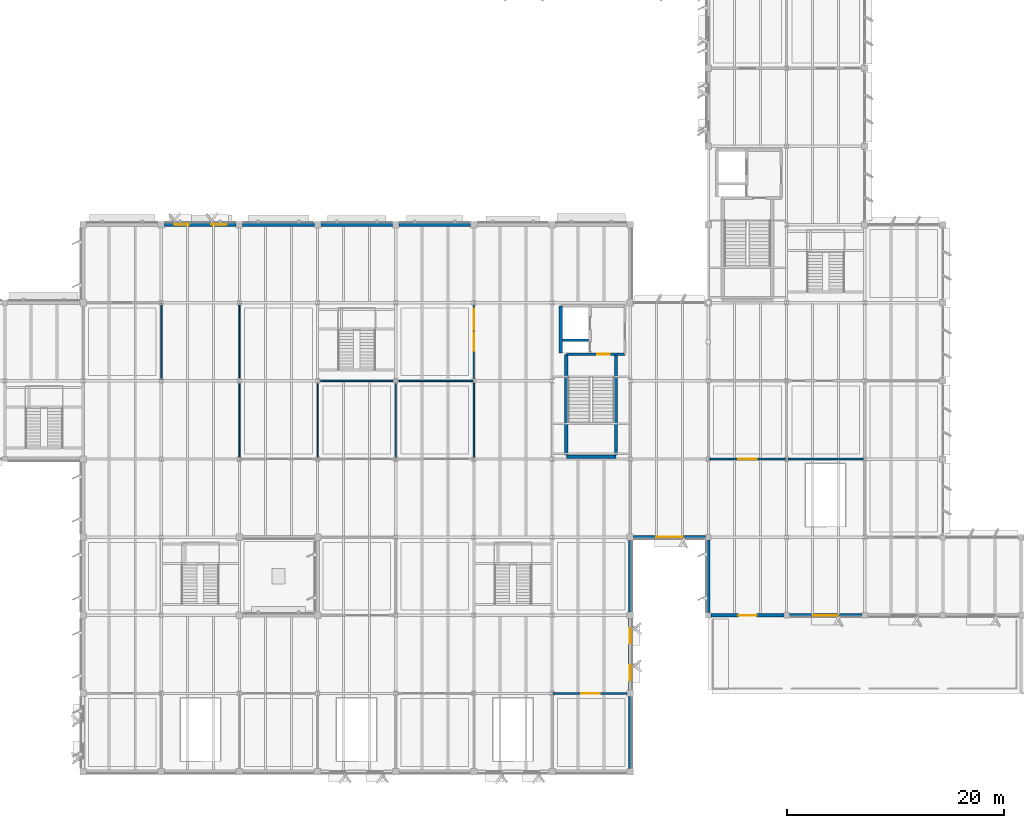
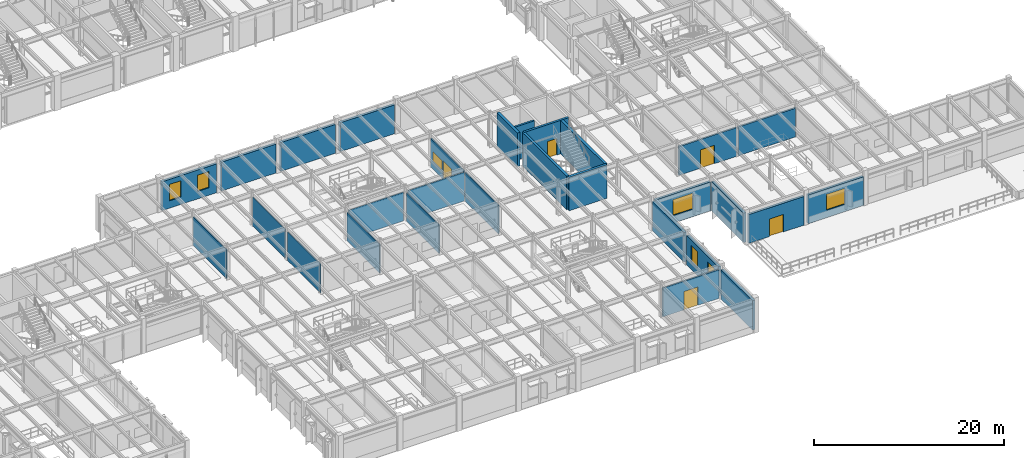
# One storey, part 36 of 92: 29 walls, 7 windows, 5 doors, 12 openings.
"""IFC4 building model written with IfcOpenShell, lengths in metres."""

import ifcopenshell
import ifcopenshell.guid

model = None  # the IFC model being written
_history = None  # IfcOwnerHistory: only IFC2X3 demands one
_inside = {}  # id of a spatial element -> (the spatial element, [elements in it])
_under = {}  # id of a project, library or spatial element -> (it, [spatial elements below it])
_declared = {}  # id of a project -> (the project, [libraries it declares])
_typed = {}  # id of a type object -> (the type object, [elements of that type])
_made_of = {}  # id of a material, layer set ... -> (it, [elements and type objects made of it])


def new_model(schema):
    """Start an empty IFC model of exactly this schema.

    Asked for "IFC4X3", IfcOpenShell would pick the latest addendum, in which some entities
    have other attributes; the version numbers below select the first issue.
    IFC2X3 requires an IfcOwnerHistory on every rooted entity: one is made here for all.
    """
    global model, _history
    if schema == "IFC4X3":
        model = ifcopenshell.file(schema_version=(4, 3, 0, 0))
    else:
        model = ifcopenshell.file(schema=schema)
    _inside.clear()
    _under.clear()
    _declared.clear()
    _typed.clear()
    _made_of.clear()
    _history = None
    if model.schema == "IFC2X3":
        org = make("IfcOrganization", Name="unknown")
        user = make(
            "IfcPersonAndOrganization",
            ThePerson=make("IfcPerson", FamilyName="unknown"),
            TheOrganization=org,
        )
        app = make(
            "IfcApplication",
            ApplicationDeveloper=org,
            Version="unknown",
            ApplicationFullName="unknown",
            ApplicationIdentifier="unknown",
        )
        _history = make(
            "IfcOwnerHistory",
            OwningUser=user,
            OwningApplication=app,
            ChangeAction="ADDED",
            CreationDate=0,
        )
    return model


def make(cls, **values):
    """One entity of the class cls with the attributes given. An attribute that is None is left unset."""
    return model.create_entity(
        cls, **{name: value for name, value in values.items() if value is not None}
    )


def rooted(cls, **values):
    """An entity with a GlobalId (a new one), such as an element, a storey or a relation."""
    return make(cls, GlobalId=ifcopenshell.guid.new(), OwnerHistory=_history, **values)


def si_unit(unit_type, name, prefix=None):
    """IfcSIUnit, for example si_unit("LENGTHUNIT", "METRE", prefix="MILLI")."""
    return make("IfcSIUnit", UnitType=unit_type, Prefix=prefix, Name=name)


def assignment(units):
    """IfcUnitAssignment: the units of a project."""
    return None if units is None else make("IfcUnitAssignment", Units=units)


def point(xyz):
    """IfcCartesianPoint."""
    return None if xyz is None else make("IfcCartesianPoint", Coordinates=xyz)


def direction(xyz):
    """IfcDirection."""
    return None if xyz is None else make("IfcDirection", DirectionRatios=xyz)


def frame(location, z_axis=None, x_axis=None):
    """IfcAxis2Placement3D, a coordinate frame: its origin and axes. An axis left out is left unset."""
    return make(
        "IfcAxis2Placement3D",
        Location=point(location),
        Axis=direction(z_axis),
        RefDirection=direction(x_axis),
    )


def frame_2d(location, x_axis=None):
    """IfcAxis2Placement2D, a coordinate frame in the plane: its origin and x axis."""
    return make(
        "IfcAxis2Placement2D", Location=point(location), RefDirection=direction(x_axis)
    )


def origin():
    """The frame at (0, 0, 0) with its axes left unset."""
    return frame((0.0, 0.0, 0.0))


def place(relative_to, where):
    """IfcLocalPlacement: puts the frame where relative to a parent placement (None: the world)."""
    return make(
        "IfcLocalPlacement", PlacementRelTo=relative_to, RelativePlacement=where
    )


def context(
    kind, dimensions, precision=None, world=None, true_north=None, identifier=None
):
    """IfcGeometricRepresentationContext, for example the 3D "Model" context."""
    return make(
        "IfcGeometricRepresentationContext",
        ContextIdentifier=identifier,
        ContextType=kind,
        CoordinateSpaceDimension=dimensions,
        Precision=precision,
        WorldCoordinateSystem=world,
        TrueNorth=true_north,
    )


def subcontext(parent, identifier, kind, view, scale=None):
    """IfcGeometricRepresentationSubContext, for example "Body" below "Model"."""
    return make(
        "IfcGeometricRepresentationSubContext",
        ContextIdentifier=identifier,
        ContextType=kind,
        ParentContext=parent,
        TargetScale=scale,
        TargetView=view,
    )


def project(units=None, contexts=None):
    """IfcProject with its units and contexts."""
    return rooted(
        "IfcProject",
        Name="project",
        RepresentationContexts=contexts,
        UnitsInContext=assignment(units),
    )


def spatial(cls, under=None, at=None, **own):
    """A site, building, storey or space (cls), placed at a placement, below another one or the project."""
    s = rooted(cls, ObjectPlacement=at, **own)
    if under is not None:
        _under.setdefault(under.id(), (under, []))[1].append(s)
    return s


def profile(cls, at=None, kind="AREA", **sizes):
    """A parametric profile (cls). Its sizes go by their IFC names, for example OverallWidth=200.0."""
    return make(cls, ProfileType=kind, Position=at, **sizes)


def rectangle(**sizes):
    """IfcRectangleProfileDef."""
    return profile("IfcRectangleProfileDef", **sizes)


def extrude(swept, where, along, depth):
    """IfcExtrudedAreaSolid: the profile swept, set in the frame where, extruded along a direction by depth."""
    return make(
        "IfcExtrudedAreaSolid",
        SweptArea=swept,
        Position=where,
        ExtrudedDirection=direction(along),
        Depth=depth,
    )


def shape(context_of_items, identifier, shape_type, items):
    """IfcShapeRepresentation: the items that make up one representation, for example the "Body"."""
    return make(
        "IfcShapeRepresentation",
        ContextOfItems=context_of_items,
        RepresentationIdentifier=identifier,
        RepresentationType=shape_type,
        Items=items,
    )


def material(Name=None, Category=None):
    """IfcMaterial."""
    return make("IfcMaterial", Name=Name, Category=Category)


def layer(
    of_material, thickness, ventilated=None, Name=None, Category=None, Priority=None
):
    """IfcMaterialLayer: one layer of a wall or slab, of a material (None: an air gap)."""
    return make(
        "IfcMaterialLayer",
        Material=of_material,
        LayerThickness=thickness,
        IsVentilated=ventilated,
        Name=Name,
        Category=Category,
        Priority=Priority,
    )


def layer_set(layers, Name=None):
    """IfcMaterialLayerSet."""
    return make("IfcMaterialLayerSet", MaterialLayers=layers, LayerSetName=Name)


def made_of(thing, what):
    """Note that an element or type object is made of a material, layer set ...; save() writes the relation."""
    if what is not None:
        _made_of.setdefault(what.id(), (what, []))[1].append(thing)
    return thing


def type_object(cls, material=None, **own):
    """A type object (cls), such as IfcWallType, which elements share."""
    return made_of(rooted(cls, **own), material)


def element(
    cls,
    number,
    at=None,
    inside=None,
    cuts=None,
    type_object=None,
    material=None,
    context=None,
    identifier="Body",
    shape_type=None,
    held_by="IfcProductDefinitionShape",
    body=None,
    shapes=None,
    **own,
):
    """One element of the class cls, such as IfcWall. Its Tag is "e" and its number.

    at: its placement. inside: the storey or other place that contains it. cuts: it is an
    opening in that element (IfcRelVoidsElement). A single representation is given by context,
    identifier, shape_type and body (its items); several are given by shapes. held_by: the class
    of the entity that holds the representations. save() writes the other relations.
    """
    e = rooted(cls, Tag="e%d" % number, ObjectPlacement=at, **own)
    if body is not None:
        shapes = [shape(context, identifier, shape_type, body)]
    if shapes is not None:
        e.Representation = make(held_by, Representations=shapes)
    if inside is not None:
        _inside.setdefault(inside.id(), (inside, []))[1].append(e)
    if cuts is not None:
        rooted(
            "IfcRelVoidsElement", RelatingBuildingElement=cuts, RelatedOpeningElement=e
        )
    if type_object is not None:
        _typed.setdefault(type_object.id(), (type_object, []))[1].append(e)
    return made_of(e, material)


def fill(opening, filler):
    """IfcRelFillsElement: the door or window that sits in an opening."""
    return rooted(
        "IfcRelFillsElement",
        RelatingOpeningElement=opening,
        RelatedBuildingElement=filler,
    )


def aggregate(whole, parts):
    """IfcRelAggregates: a whole, such as a stair, and the parts it consists of."""
    return rooted("IfcRelAggregates", RelatingObject=whole, RelatedObjects=parts)


def save(model, path):
    """Write the relations noted so far, then the file.

    IfcRelAggregates (storeys below a building ...), IfcRelContainedInSpatialStructure (elements
    in a storey), IfcRelDefinesByType, IfcRelAssociatesMaterial and IfcRelDeclares: one each for
    every whole, place, type object, material and project.
    """
    for whole, parts in _under.values():
        aggregate(whole, parts)
    for where, things in _inside.values():
        rooted(
            "IfcRelContainedInSpatialStructure",
            RelatedElements=things,
            RelatingStructure=where,
        )
    for kind, things in _typed.values():
        rooted("IfcRelDefinesByType", RelatedObjects=things, RelatingType=kind)
    for what, things in _made_of.values():
        rooted("IfcRelAssociatesMaterial", RelatedObjects=things, RelatingMaterial=what)
    for by, libraries in _declared.values():
        rooted("IfcRelDeclares", RelatingContext=by, RelatedDefinitions=libraries)
    model.write(path)


model = new_model("IFC4")

# Units and contexts
model_context = context("Model", 3, precision=1e-05, world=origin(), true_north=direction((0.0, 1.0)))
body_context = subcontext(model_context, "Body", "Model", "MODEL_VIEW")
ifc_project = project(units=[si_unit("LENGTHUNIT", "METRE"), si_unit("AREAUNIT", "SQUARE_METRE"), si_unit("VOLUMEUNIT", "CUBIC_METRE"), si_unit("PLANEANGLEUNIT", "RADIAN"), si_unit("MASSUNIT", "GRAM", prefix="KILO")], contexts=[model_context])

# Site, building, storey
site_placement = place(None, origin())
site = spatial("IfcSite", under=ifc_project, at=site_placement, CompositionType="ELEMENT")
building_placement = place(site_placement, origin())
building = spatial("IfcBuilding", under=site, at=building_placement, Name="Sillqori Civic Hall", CompositionType="ELEMENT")
storey_placement = place(building_placement, frame((0.0, 0.0, 5.39990234375)))
storey = spatial("IfcBuildingStorey", under=building, at=storey_placement, Name="L02", CompositionType="ELEMENT", Elevation=5.39990234375)

# Wall
ifc_material_1 = material(Name="Concrete C35/45 (H35)", Category="concrete")
ifc_layer_1 = layer(ifc_material_1, 0.219970703125)
ifc_layer_set_1 = layer_set([ifc_layer_1], Name="Concrete C35/45 (H35)")
wall_type_1 = type_object("IfcWallType", Name="CW-SHR-220", PredefinedType="SHEAR", material=ifc_layer_set_1)
wall_1_placement = place(storey_placement, frame((108.949951171875, 46.949951171875, 0.0), z_axis=(0.0, 0.0, 1.0), x_axis=(1.0, 0.0, 0.0)))
element("IfcWall", 1, at=wall_1_placement, inside=storey, type_object=wall_type_1, Name="L02 C3 Lift-riser divider wall", PredefinedType="SHEAR", context=body_context, shape_type="SweptSolid", body=[
    extrude(rectangle(XDim=2.400146484375, YDim=0.219970703125, at=frame_2d((1.2001953125, 0.0))), origin(), (0.0, 0.0, 1.0), 4.300048828125),
])

# Wall, opening, door
ifc_layer_2 = layer(ifc_material_1, 0.260009765625)
ifc_layer_set_2 = layer_set([ifc_layer_2], Name="Concrete C35/45 (H35)")
wall_type_2 = type_object("IfcWallType", Name="CW-SHR-260", PredefinedType="SHEAR", material=ifc_layer_set_2)
wall_2_placement = place(storey_placement, frame((109.31005859375, 45.64990234375, 0.0), z_axis=(0.0, 0.0, 1.0), x_axis=(1.0, 0.0, 0.0)))
wall_2 = element("IfcWall", 2, at=wall_2_placement, inside=storey, type_object=wall_type_2, Name="L02 C3 Stair-lobby fire wall", PredefinedType="SHEAR", context=body_context, shape_type="SweptSolid", body=[
    extrude(rectangle(XDim=5.409912109375, YDim=0.260009765625, at=frame_2d((2.705078125, 0.0))), origin(), (0.0, 0.0, 1.0), 4.300048828125),
])
opening_1_placement = place(wall_2_placement, frame((2.840087890625, 0.0, 0.0)))
opening_1 = element("IfcOpeningElement", 3, at=opening_1_placement, cuts=wall_2, Name="Opening FD-01", PredefinedType="OPENING", context=body_context, shape_type="SweptSolid", body=[
    extrude(rectangle(XDim=1.14990234375, YDim=2.14990234375, at=frame_2d((0.574951171875, 1.074951171875))), frame((0.0, 0.139892578125, 0.0), z_axis=(0.0, -1.0, 0.0), x_axis=(1.0, 0.0, 0.0)), (0.0, 0.0, 1.0), 0.280029296875),
])
ifc_material_2 = material(Name="Galvanized Steel Fire Door FD90S", Category="steel")
door_type_1 = type_object("IfcDoorType", Name="FDR-STR-115X215", OperationType="NOTDEFINED", PredefinedType="DOOR", material=ifc_material_2)
door_1_placement = place(opening_1_placement, origin())
door_1 = element("IfcDoor", 4, at=door_1_placement, inside=storey, type_object=door_type_1, Name="L02 stair ST-03 fire door", OperationType="SINGLE_SWING_RIGHT", OverallHeight=2.14990234375, OverallWidth=1.14990234375, PredefinedType="DOOR", context=body_context, shape_type="SweptSolid", body=[
    extrude(rectangle(XDim=1.14990234375, YDim=2.14990234375, at=frame_2d((0.574951171875, 1.074951171875))), frame((0.0, 0.02490234375, 0.0), z_axis=(0.0, -1.0, 0.0), x_axis=(1.0, 0.0, 0.0)), (0.0, 0.0, 1.0), 0.050048828125),
])
fill(opening_1, door_1)

# Walls
ifc_layer_3 = layer(ifc_material_1, 0.300048828125)
ifc_layer_set_3 = layer_set([ifc_layer_3], Name="Concrete C35/45 (H35)")
wall_type_3 = type_object("IfcWallType", Name="CW-SHR-300", PredefinedType="SHEAR", material=ifc_layer_set_3)
wall_3_placement = place(storey_placement, frame((109.31005859375, 36.199951171875, 0.0), z_axis=(0.0, 0.0, 1.0), x_axis=(1.0, 0.0, 0.0)))
element("IfcWall", 5, at=wall_3_placement, inside=storey, type_object=wall_type_3, Name="L02 C3 Stair south shear wall", PredefinedType="SHEAR", context=body_context, shape_type="SweptSolid", body=[
    extrude(rectangle(XDim=4.579833984375, YDim=0.300048828125, at=frame_2d((2.2900390625, 0.0))), origin(), (0.0, 0.0, 1.0), 4.300048828125),
])
for number, where, z_axis, x_axis, name in (
    (6, (109.31005859375, 36.35009765625, 0.0), (0.0, 0.0, 1.0), (0.0, 1.0, 0.0), "L02 C3 Stair west shear wall"),
    (7, (113.889892578125, 36.35009765625, 0.0), (0.0, 0.0, 1.0), (0.0, 1.0, 0.0), "L02 C3 Stair east shear wall"),
):
    element("IfcWall", number, at=place(storey_placement, frame(where, z_axis=z_axis, x_axis=x_axis)), inside=storey, type_object=wall_type_3, Name=name, PredefinedType="SHEAR", context=body_context, shape_type="SweptSolid", body=[
        extrude(rectangle(XDim=9.2998046875, YDim=0.300048828125, at=frame_2d((4.64990234375, 0.0))), origin(), (0.0, 0.0, 1.0), 4.300048828125),
    ])
wall_4_placement = place(storey_placement, frame((108.800048828125, 45.780029296875, 0.0), z_axis=(0.0, 0.0, 1.0), x_axis=(0.0, 1.0, 0.0)))
element("IfcWall", 8, at=wall_4_placement, inside=storey, type_object=wall_type_3, Name="L02 C3 Lift shaft west shear wall", PredefinedType="SHEAR", context=body_context, shape_type="SweptSolid", body=[
    extrude(rectangle(XDim=4.320068359375, YDim=0.300048828125, at=frame_2d((2.16015625, 0.0))), origin(), (0.0, 0.0, 1.0), 4.300048828125),
])

# Wall, opening, window
ifc_material_3 = material(Name="Precast concrete C40/50 (H40)", Category="concrete")
ifc_layer_4 = layer(ifc_material_3, 0.300048828125)
ifc_layer_set_4 = layer_set([ifc_layer_4], Name="Precast concrete C40/50 (H40)")
wall_type_4 = type_object("IfcWallType", Name="EW-LIME-300", PredefinedType="SOLIDWALL", material=ifc_layer_set_4)
wall_5_placement = place(storey_placement, frame((122.14990234375, 28.800048828125, 0.0), z_axis=(0.0, 0.0, 1.0), x_axis=(-1.0, 0.0, 0.0)))
wall_5 = element("IfcWall", 9, at=wall_5_placement, inside=storey, type_object=wall_type_4, Name="L02 V3 exterior wall L02-16-04-S", PredefinedType="SOLIDWALL", context=body_context, shape_type="SweptSolid", body=[
    extrude(rectangle(XDim=6.64990234375, YDim=0.300048828125, at=frame_2d((3.324951171875, 0.0))), origin(), (0.0, 0.0, 1.0), 3.697998046875),
])
opening_2_placement = place(wall_5_placement, frame((2.10009765625, 0.0, 0.949951171875)))
opening_2 = element("IfcOpeningElement", 10, at=opening_2_placement, cuts=wall_5, Name="Opening W-40", PredefinedType="OPENING", context=body_context, shape_type="SweptSolid", body=[
    extrude(rectangle(XDim=2.449951171875, YDim=2.050048828125, at=frame_2d((1.22509765625, 1.02490234375))), frame((0.0, 0.159912109375, 0.0), z_axis=(0.0, -1.0, 0.0), x_axis=(1.0, 0.0, 0.0)), (0.0, 0.0, 1.0), 0.320068359375),
])
ifc_material_4 = material(Name="Thermally Broken Aluminium Low-E Window", Category="aluminium")
window_type_1 = type_object("IfcWindowType", Name="WIN-GD-245X205", PartitioningType="SINGLE_PANEL", PredefinedType="WINDOW", material=ifc_material_4)
window_1_placement = place(opening_2_placement, origin())
window_1 = element("IfcWindow", 11, at=window_1_placement, inside=storey, type_object=window_type_1, Name="L02 V3 window L02-16-04-S.1", OverallHeight=2.050048828125, OverallWidth=2.449951171875, PartitioningType="SINGLE_PANEL", PredefinedType="WINDOW", context=body_context, shape_type="SweptSolid", body=[
    extrude(rectangle(XDim=2.449951171875, YDim=2.050048828125, at=frame_2d((1.22509765625, 1.02490234375))), frame((0.0, 0.030029296875, 0.0), z_axis=(0.0, -1.0, 0.0), x_axis=(1.0, 0.0, 0.0)), (0.0, 0.0, 1.0), 0.06005859375),
])
fill(opening_2, window_1)

# Wall, opening, door
wall_6_placement = place(storey_placement, frame((129.35009765625, 21.60009765625, 0.0), z_axis=(0.0, 0.0, 1.0), x_axis=(-1.0, 0.0, 0.0)))
wall_6 = element("IfcWall", 12, at=wall_6_placement, inside=storey, type_object=wall_type_4, Name="L02 V3 exterior wall L02-17-03-S", PredefinedType="SOLIDWALL", context=body_context, shape_type="SweptSolid", body=[
    extrude(rectangle(XDim=6.7001953125, YDim=0.300048828125, at=frame_2d((3.35009765625, 0.0))), origin(), (0.0, 0.0, 1.0), 3.68798828125),
])
opening_3_placement = place(wall_6_placement, frame((2.5, 0.0, 0.0)))
opening_3 = element("IfcOpeningElement", 13, at=opening_3_placement, cuts=wall_6, Name="Opening ED-07", PredefinedType="OPENING", context=body_context, shape_type="SweptSolid", body=[
    extrude(rectangle(XDim=1.699951171875, YDim=2.25, at=frame_2d((0.85009765625, 1.125))), frame((0.0, 0.159912109375, 0.0), z_axis=(0.0, -1.0, 0.0), x_axis=(1.0, 0.0, 0.0)), (0.0, 0.0, 1.0), 0.320068359375),
])
ifc_material_5 = material(Name="Thermally Broken Anodized Aluminium and Laminated Glass", Category="aluminium")
door_type_2 = type_object("IfcDoorType", Name="EDR-TERR-170X225", OperationType="NOTDEFINED", PredefinedType="DOOR", material=ifc_material_5)
door_2_placement = place(opening_3_placement, origin())
door_2 = element("IfcDoor", 14, at=door_2_placement, inside=storey, type_object=door_type_2, Name="Library South Reading Terrace Access Door", OperationType="DOUBLE_DOOR_SINGLE_SWING", OverallHeight=2.25, OverallWidth=1.699951171875, PredefinedType="DOOR", context=body_context, shape_type="SweptSolid", body=[
    extrude(rectangle(XDim=1.699951171875, YDim=2.25, at=frame_2d((0.85009765625, 1.125))), frame((0.0, 0.02490234375, 0.0), z_axis=(0.0, -1.0, 0.0), x_axis=(1.0, 0.0, 0.0)), (0.0, 0.0, 1.0), 0.050048828125),
])
fill(opening_3, door_2)

# Wall
wall_7_placement = place(storey_placement, frame((122.39990234375, 21.85009765625, 0.0), z_axis=(0.0, 0.0, 1.0), x_axis=(0.0, 1.0, 0.0)))
element("IfcWall", 15, at=wall_7_placement, inside=storey, type_object=wall_type_4, Name="L02 V3 exterior wall L02-17-03-W", PredefinedType="SOLIDWALL", context=body_context, shape_type="SweptSolid", body=[
    extrude(rectangle(XDim=6.699951171875, YDim=0.300048828125, at=frame_2d((3.35009765625, 0.0))), origin(), (0.0, 0.0, 1.0), 3.76708984375),
])

# Wall, opening, window
wall_8_placement = place(storey_placement, frame((136.550048828125, 21.60009765625, 0.0), z_axis=(0.0, 0.0, 1.0), x_axis=(-1.0, 0.0, 0.0)))
wall_8 = element("IfcWall", 16, at=wall_8_placement, inside=storey, type_object=wall_type_4, Name="L02 V3 exterior wall L02-18-03-S", PredefinedType="SOLIDWALL", context=body_context, shape_type="SweptSolid", body=[
    extrude(rectangle(XDim=6.699951171875, YDim=0.300048828125, at=frame_2d((3.35009765625, 0.0))), origin(), (0.0, 0.0, 1.0), 3.68798828125),
])
opening_4_placement = place(wall_8_placement, frame((2.22509765625, 0.0, 0.949951171875)))
opening_4 = element("IfcOpeningElement", 17, at=opening_4_placement, cuts=wall_8, Name="Opening W-38", PredefinedType="OPENING", context=body_context, shape_type="SweptSolid", body=[
    extrude(rectangle(XDim=2.25, YDim=2.050048828125, at=frame_2d((1.125, 1.02490234375))), frame((0.0, 0.159912109375, 0.0), z_axis=(0.0, -1.0, 0.0), x_axis=(1.0, 0.0, 0.0)), (0.0, 0.0, 1.0), 0.320068359375),
])
window_type_2 = type_object("IfcWindowType", Name="WIN-GD-225X205", PartitioningType="SINGLE_PANEL", PredefinedType="WINDOW", material=ifc_material_4)
window_2_placement = place(opening_4_placement, origin())
window_2 = element("IfcWindow", 18, at=window_2_placement, inside=storey, type_object=window_type_2, Name="L02 V3 window L02-18-03-S.1", OverallHeight=2.050048828125, OverallWidth=2.25, PartitioningType="SINGLE_PANEL", PredefinedType="WINDOW", context=body_context, shape_type="SweptSolid", body=[
    extrude(rectangle(XDim=2.25, YDim=2.050048828125, at=frame_2d((1.125, 1.02490234375))), frame((0.0, 0.030029296875, 0.0), z_axis=(0.0, -1.0, 0.0), x_axis=(1.0, 0.0, 0.0)), (0.0, 0.0, 1.0), 0.06005859375),
])
fill(opening_4, window_2)

# Wall, openings, windows
ifc_layer_5 = layer(ifc_material_3, 0.320068359375)
ifc_layer_set_5 = layer_set([ifc_layer_5], Name="Precast concrete C40/50 (H40)")
wall_type_5 = type_object("IfcWallType", Name="EW-LIME-320", PredefinedType="SOLIDWALL", material=ifc_layer_set_5)
wall_9_placement = place(storey_placement, frame((72.300048828125, 57.60009765625, 0.0), z_axis=(0.0, 0.0, 1.0), x_axis=(1.0, 0.0, 0.0)))
wall_9 = element("IfcWall", 19, at=wall_9_placement, inside=storey, type_object=wall_type_5, Name="L02 V2 exterior wall L02-10-07-N", PredefinedType="SOLIDWALL", context=body_context, shape_type="SweptSolid", body=[
    extrude(rectangle(XDim=6.599853515625, YDim=0.320068359375, at=frame_2d((3.2998046875, 0.0))), origin(), (0.0, 0.0, 1.0), 3.697998046875),
])
opening_5_placement = place(wall_9_placement, frame((0.884033203125, 0.0, 0.949951171875)))
opening_5 = element("IfcOpeningElement", 20, at=opening_5_placement, cuts=wall_9, Name="Opening W-03", PredefinedType="OPENING", context=body_context, shape_type="SweptSolid", body=[
    extrude(rectangle(XDim=1.39990234375, YDim=2.10009765625, at=frame_2d((0.699951171875, 1.050048828125))), frame((0.0, 0.169921875, 0.0), z_axis=(0.0, -1.0, 0.0), x_axis=(1.0, 0.0, 0.0)), (0.0, 0.0, 1.0), 0.340087890625),
])
opening_6_placement = place(wall_9_placement, frame((4.31591796875, 0.0, 0.949951171875)))
opening_6 = element("IfcOpeningElement", 21, at=opening_6_placement, cuts=wall_9, Name="Opening W-03", PredefinedType="OPENING", context=body_context, shape_type="SweptSolid", body=[
    extrude(rectangle(XDim=1.39990234375, YDim=2.10009765625, at=frame_2d((0.699951171875, 1.050048828125))), frame((0.0, 0.169921875, 0.0), z_axis=(0.0, -1.0, 0.0), x_axis=(1.0, 0.0, 0.0)), (0.0, 0.0, 1.0), 0.340087890625),
])
window_type_3 = type_object("IfcWindowType", Name="WIN-V2-140X210", PartitioningType="SINGLE_PANEL", PredefinedType="WINDOW", material=ifc_material_4)
window_3_placement = place(opening_5_placement, origin())
window_3 = element("IfcWindow", 22, at=window_3_placement, inside=storey, type_object=window_type_3, Name="L02 V2 window L02-10-07-N.1", OverallHeight=2.10009765625, OverallWidth=1.39990234375, PartitioningType="SINGLE_PANEL", PredefinedType="WINDOW", context=body_context, shape_type="SweptSolid", body=[
    extrude(rectangle(XDim=1.39990234375, YDim=2.10009765625, at=frame_2d((0.699951171875, 1.050048828125))), frame((0.0, 0.030029296875, 0.0), z_axis=(0.0, -1.0, 0.0), x_axis=(1.0, 0.0, 0.0)), (0.0, 0.0, 1.0), 0.06005859375),
])
fill(opening_5, window_3)
window_4_placement = place(opening_6_placement, origin())
window_4 = element("IfcWindow", 23, at=window_4_placement, inside=storey, type_object=window_type_3, Name="L02 V2 window L02-10-07-N.2", OverallHeight=2.10009765625, OverallWidth=1.39990234375, PartitioningType="SINGLE_PANEL", PredefinedType="WINDOW", context=body_context, shape_type="SweptSolid", body=[
    extrude(rectangle(XDim=1.39990234375, YDim=2.10009765625, at=frame_2d((0.699951171875, 1.050048828125))), frame((0.0, 0.030029296875, 0.0), z_axis=(0.0, -1.0, 0.0), x_axis=(1.0, 0.0, 0.0)), (0.0, 0.0, 1.0), 0.06005859375),
])
fill(opening_6, window_4)

# Walls
for number, where, z_axis, x_axis, name in (
    (24, (79.5, 57.60009765625, 0.0), (0.0, 0.0, 1.0), (1.0, 0.0, 0.0), "L02 V2 exterior wall L02-11-07-N"),
    (25, (86.699951171875, 57.60009765625, 0.0), (0.0, 0.0, 1.0), (1.0, 0.0, 0.0), "L02 V2 exterior wall L02-12-07-N"),
    (26, (93.89990234375, 57.60009765625, 0.0), (0.0, 0.0, 1.0), (1.0, 0.0, 0.0), "L02 V2 exterior wall L02-13-07-N"),
):
    element("IfcWall", number, at=place(storey_placement, frame(where, z_axis=z_axis, x_axis=x_axis)), inside=storey, type_object=wall_type_5, Name=name, PredefinedType="SOLIDWALL", context=body_context, shape_type="SweptSolid", body=[
        extrude(rectangle(XDim=6.60009765625, YDim=0.320068359375, at=frame_2d((3.300048828125, 0.0))), origin(), (0.0, 0.0, 1.0), 3.697998046875),
    ])
wall_10_placement = place(storey_placement, frame((115.199951171875, 14.10009765625, 0.0), z_axis=(0.0, 0.0, 1.0), x_axis=(0.0, -1.0, 0.0)))
element("IfcWall", 27, at=wall_10_placement, inside=storey, type_object=wall_type_5, Name="L02 V2 exterior wall L02-15-01-E", PredefinedType="SOLIDWALL", context=body_context, shape_type="SweptSolid", body=[
    extrude(rectangle(XDim=6.60009765625, YDim=0.320068359375, at=frame_2d((3.300048828125, 0.0))), origin(), (0.0, 0.0, 1.0), 3.76708984375),
])

# Wall, openings, windows
wall_11_placement = place(storey_placement, frame((115.199951171875, 21.300048828125, 0.0), z_axis=(0.0, 0.0, 1.0), x_axis=(0.0, -1.0, 0.0)))
wall_11 = element("IfcWall", 28, at=wall_11_placement, inside=storey, type_object=wall_type_5, Name="L02 V2 exterior wall L02-15-02-E", PredefinedType="SOLIDWALL", context=body_context, shape_type="SweptSolid", body=[
    extrude(rectangle(XDim=6.60009765625, YDim=0.320068359375, at=frame_2d((3.300048828125, 0.0))), origin(), (0.0, 0.0, 1.0), 3.76708984375),
])
opening_7_placement = place(wall_11_placement, frame((0.884033203125, 0.0, 0.949951171875)))
opening_7 = element("IfcOpeningElement", 29, at=opening_7_placement, cuts=wall_11, Name="Opening W-03", PredefinedType="OPENING", context=body_context, shape_type="SweptSolid", body=[
    extrude(rectangle(XDim=1.39990234375, YDim=2.10009765625, at=frame_2d((0.699951171875, 1.050048828125))), frame((0.0, 0.169921875, 0.0), z_axis=(0.0, -1.0, 0.0), x_axis=(1.0, 0.0, 0.0)), (0.0, 0.0, 1.0), 0.340087890625),
])
opening_8_placement = place(wall_11_placement, frame((4.31591796875, 0.0, 0.949951171875)))
opening_8 = element("IfcOpeningElement", 30, at=opening_8_placement, cuts=wall_11, Name="Opening W-03", PredefinedType="OPENING", context=body_context, shape_type="SweptSolid", body=[
    extrude(rectangle(XDim=1.39990234375, YDim=2.10009765625, at=frame_2d((0.699951171875, 1.050048828125))), frame((0.0, 0.169921875, 0.0), z_axis=(0.0, -1.0, 0.0), x_axis=(1.0, 0.0, 0.0)), (0.0, 0.0, 1.0), 0.340087890625),
])
window_5_placement = place(opening_7_placement, origin())
window_5 = element("IfcWindow", 31, at=window_5_placement, inside=storey, type_object=window_type_3, Name="L02 V2 window L02-15-02-E.1", OverallHeight=2.10009765625, OverallWidth=1.39990234375, PartitioningType="SINGLE_PANEL", PredefinedType="WINDOW", context=body_context, shape_type="SweptSolid", body=[
    extrude(rectangle(XDim=1.39990234375, YDim=2.10009765625, at=frame_2d((0.699951171875, 1.050048828125))), frame((0.0, 0.030029296875, 0.0), z_axis=(0.0, -1.0, 0.0), x_axis=(1.0, 0.0, 0.0)), (0.0, 0.0, 1.0), 0.06005859375),
])
fill(opening_7, window_5)
window_6_placement = place(opening_8_placement, origin())
window_6 = element("IfcWindow", 32, at=window_6_placement, inside=storey, type_object=window_type_3, Name="L02 V2 window L02-15-02-E.2", OverallHeight=2.10009765625, OverallWidth=1.39990234375, PartitioningType="SINGLE_PANEL", PredefinedType="WINDOW", context=body_context, shape_type="SweptSolid", body=[
    extrude(rectangle(XDim=1.39990234375, YDim=2.10009765625, at=frame_2d((0.699951171875, 1.050048828125))), frame((0.0, 0.030029296875, 0.0), z_axis=(0.0, -1.0, 0.0), x_axis=(1.0, 0.0, 0.0)), (0.0, 0.0, 1.0), 0.06005859375),
])
fill(opening_8, window_6)

# Walls
wall_12_placement = place(storey_placement, frame((115.199951171875, 28.5, 0.0), z_axis=(0.0, 0.0, 1.0), x_axis=(0.0, -1.0, 0.0)))
element("IfcWall", 33, at=wall_12_placement, inside=storey, type_object=wall_type_5, Name="L02 V2 exterior wall L02-15-03-E", PredefinedType="SOLIDWALL", context=body_context, shape_type="SweptSolid", body=[
    extrude(rectangle(XDim=6.60009765625, YDim=0.320068359375, at=frame_2d((3.300048828125, 0.0))), origin(), (0.0, 0.0, 1.0), 3.76708984375),
])
ifc_material_6 = material(Name="Acoustic Steel-Stud Partition 108", Category="steel")
ifc_layer_6 = layer(ifc_material_6, 0.10791015625)
ifc_layer_set_6 = layer_set([ifc_layer_6], Name="Acoustic Steel-Stud Partition 108")
wall_type_6 = type_object("IfcWallType", Name="PT-GYP-108", PredefinedType="PARTITIONING", material=ifc_layer_set_6)
for number, where, z_axis, x_axis, name in (
    (34, (79.199951171875, 36.1201171875, 0.0), (0.0, 0.0, 1.0), (0.0, 1.0, 0.0), "Public Notary and Apostille Verification Room partition W3"),
    (35, (86.39990234375, 42.919921875, 0.0), (0.0, 0.0, 1.0), (0.0, -1.0, 0.0), "Public Notary and Apostille Verification Room partition E4"),
):
    element("IfcWall", number, at=place(storey_placement, frame(where, z_axis=z_axis, x_axis=x_axis)), inside=storey, type_object=wall_type_6, Name=name, PredefinedType="PARTITIONING", context=body_context, shape_type="SweptSolid", body=[
        extrude(rectangle(XDim=6.7998046875, YDim=0.10791015625, at=frame_2d((3.39990234375, 0.0))), origin(), (0.0, 0.0, 1.0), 3.68798828125),
    ])
wall_13_placement = place(storey_placement, frame((79.199951171875, 43.47998046875, 0.0), z_axis=(0.0, 0.0, 1.0), x_axis=(0.0, 1.0, 0.0)))
element("IfcWall", 36, at=wall_13_placement, inside=storey, type_object=wall_type_6, Name="Public Notary and Apostille Verification Room partition W5", PredefinedType="PARTITIONING", context=body_context, shape_type="SweptSolid", body=[
    extrude(rectangle(XDim=6.800048828125, YDim=0.10791015625, at=frame_2d((3.39990234375, 0.0))), origin(), (0.0, 0.0, 1.0), 3.68798828125),
])
ifc_material_7 = material(Name="Acoustic Steel-Stud Partition 120", Category="steel")
ifc_layer_7 = layer(ifc_material_7, 0.1201171875)
ifc_layer_set_7 = layer_set([ifc_layer_7], Name="Acoustic Steel-Stud Partition 120")
wall_type_7 = type_object("IfcWallType", Name="PT-GYP-120", PredefinedType="PARTITIONING", material=ifc_layer_set_7)
wall_14_placement = place(storey_placement, frame((86.679931640625, 43.199951171875, 0.0), z_axis=(0.0, 0.0, 1.0), x_axis=(1.0, 0.0, 0.0)))
element("IfcWall", 37, at=wall_14_placement, inside=storey, type_object=wall_type_7, Name="Building Permits Technical Review Counter L02-07 partition N2", PredefinedType="PARTITIONING", context=body_context, shape_type="SweptSolid", body=[
    extrude(rectangle(XDim=6.64013671875, YDim=0.1201171875, at=frame_2d((3.320068359375, 0.0))), origin(), (0.0, 0.0, 1.0), 3.68798828125),
])
wall_15_placement = place(storey_placement, frame((93.60009765625, 42.919921875, 0.0), z_axis=(0.0, 0.0, 1.0), x_axis=(0.0, -1.0, 0.0)))
element("IfcWall", 38, at=wall_15_placement, inside=storey, type_object=wall_type_7, Name="Building Permits Technical Review Counter L02-07 partition E4", PredefinedType="PARTITIONING", context=body_context, shape_type="SweptSolid", body=[
    extrude(rectangle(XDim=6.7998046875, YDim=0.1201171875, at=frame_2d((3.39990234375, 0.0))), origin(), (0.0, 0.0, 1.0), 3.68798828125),
])
ifc_material_8 = material(Name="Corridor Rated Partition 142", Category="gypsum")
ifc_layer_8 = layer(ifc_material_8, 0.14208984375)
ifc_layer_set_8 = layer_set([ifc_layer_8], Name="Corridor Rated Partition 142")
wall_type_8 = type_object("IfcWallType", Name="PT-GYP-142", PredefinedType="PARTITIONING", material=ifc_layer_set_8)
wall_16_placement = place(storey_placement, frame((93.8798828125, 43.199951171875, 0.0), z_axis=(0.0, 0.0, 1.0), x_axis=(1.0, 0.0, 0.0)))
element("IfcWall", 39, at=wall_16_placement, inside=storey, type_object=wall_type_8, Name="Public Notary and Apostille Verification Room L02-10 partition N2", PredefinedType="PARTITIONING", context=body_context, shape_type="SweptSolid", body=[
    extrude(rectangle(XDim=6.800048828125, YDim=0.14208984375, at=frame_2d((3.39990234375, 0.0))), origin(), (0.0, 0.0, 1.0), 3.68798828125),
])
wall_17_placement = place(storey_placement, frame((100.800048828125, 43.080078125, 0.0), z_axis=(0.0, 0.0, 1.0), x_axis=(0.0, -1.0, 0.0)))
element("IfcWall", 40, at=wall_17_placement, inside=storey, type_object=wall_type_8, Name="Public Notary and Apostille Verification Room L02-10 partition E4", PredefinedType="PARTITIONING", context=body_context, shape_type="SweptSolid", body=[
    extrude(rectangle(XDim=6.9599609375, YDim=0.14208984375, at=frame_2d((3.47998046875, 0.0))), origin(), (0.0, 0.0, 1.0), 3.68798828125),
])

# Wall, openings, door, window
ifc_material_9 = material(Name="Corridor Rated Partition 146", Category="gypsum")
ifc_layer_9 = layer(ifc_material_9, 0.14599609375)
ifc_layer_set_9 = layer_set([ifc_layer_9], Name="Corridor Rated Partition 146")
wall_type_9 = type_object("IfcWallType", Name="PT-GYP-146", PredefinedType="PARTITIONING", material=ifc_layer_set_9)
wall_18_placement = place(storey_placement, frame((100.800048828125, 50.280029296875, 0.0), z_axis=(0.0, 0.0, 1.0), x_axis=(0.0, -1.0, 0.0)))
wall_18 = element("IfcWall", 41, at=wall_18_placement, inside=storey, type_object=wall_type_9, Name="Citizens Tax and Property Assessment Suite L02-11 partition E4", PredefinedType="PARTITIONING", context=body_context, shape_type="SweptSolid", body=[
    extrude(rectangle(XDim=6.9599609375, YDim=0.14599609375, at=frame_2d((3.47998046875, 0.0))), origin(), (0.0, 0.0, 1.0), 3.68798828125),
])
opening_9_placement = place(wall_18_placement, frame((2.6298828125, 0.0, 0.0)))
opening_9 = element("IfcOpeningElement", 42, at=opening_9_placement, cuts=wall_18, Name="Opening ID-06", PredefinedType="OPENING", context=body_context, shape_type="SweptSolid", body=[
    extrude(rectangle(XDim=1.699951171875, YDim=2.35009765625, at=frame_2d((0.85009765625, 1.175048828125))), frame((0.0, 0.0830078125, 0.0), z_axis=(0.0, -1.0, 0.0), x_axis=(1.0, 0.0, 0.0)), (0.0, 0.0, 1.0), 0.166015625),
])
opening_10_placement = place(wall_18_placement, frame((0.449951171875, 0.0, 1.050048828125)))
opening_10 = element("IfcOpeningElement", 43, at=opening_10_placement, cuts=wall_18, Name="Opening IW-16", PredefinedType="OPENING", context=body_context, shape_type="SweptSolid", body=[
    extrude(rectangle(XDim=1.89990234375, YDim=1.219970703125, at=frame_2d((0.949951171875, 0.60986328125))), frame((0.0, 0.0830078125, 0.0), z_axis=(0.0, -1.0, 0.0), x_axis=(1.0, 0.0, 0.0)), (0.0, 0.0, 1.0), 0.166015625),
])
ifc_material_10 = material(Name="Revenue Hall Glazed Double Door", Category="aluminium")
door_type_3 = type_object("IfcDoorType", Name="IDR-CSC-170X235", OperationType="NOTDEFINED", PredefinedType="DOOR", material=ifc_material_10)
door_3_placement = place(opening_9_placement, origin())
door_3 = element("IfcDoor", 44, at=door_3_placement, inside=storey, type_object=door_type_3, Name="Citizens Tax and Property Assessment Suite L02-11 entrance door", OperationType="DOUBLE_DOOR_SINGLE_SWING", OverallHeight=2.35009765625, OverallWidth=1.699951171875, PredefinedType="DOOR", context=body_context, shape_type="SweptSolid", body=[
    extrude(rectangle(XDim=1.699951171875, YDim=2.35009765625, at=frame_2d((0.85009765625, 1.175048828125))), frame((0.0, 0.02490234375, 0.0), z_axis=(0.0, -1.0, 0.0), x_axis=(1.0, 0.0, 0.0)), (0.0, 0.0, 1.0), 0.050048828125),
])
fill(opening_9, door_3)
ifc_material_11 = material(Name="Acoustic Laminated Interior Clerestory Glazing", Category="glass")
window_type_4 = type_object("IfcWindowType", Name="IWN-STU-190X122", PartitioningType="SINGLE_PANEL", PredefinedType="WINDOW", material=ifc_material_11)
window_7_placement = place(opening_10_placement, origin())
window_7 = element("IfcWindow", 45, at=window_7_placement, inside=storey, type_object=window_type_4, Name="Citizens Tax and Property Assessment Suite L02-11 borrowed-light screen", OverallHeight=1.219970703125, OverallWidth=1.89990234375, PartitioningType="SINGLE_PANEL", PredefinedType="WINDOW", context=body_context, shape_type="SweptSolid", body=[
    extrude(rectangle(XDim=1.89990234375, YDim=1.219970703125, at=frame_2d((0.949951171875, 0.60986328125))), frame((0.0, 0.030029296875, 0.0), z_axis=(0.0, -1.0, 0.0), x_axis=(1.0, 0.0, 0.0)), (0.0, 0.0, 1.0), 0.06005859375),
])
fill(opening_10, window_7)

# Wall, opening, door
ifc_material_12 = material(Name="Concrete C25/30 (H25)", Category="concrete")
ifc_layer_10 = layer(ifc_material_12, 0.172119140625)
ifc_layer_set_10 = layer_set([ifc_layer_10], Name="Concrete C25/30 (H25)")
wall_type_10 = type_object("IfcWallType", Name="PT-MAS-172", PredefinedType="PARTITIONING", material=ifc_layer_set_10)
wall_19_placement = place(storey_placement, frame((108.1201171875, 14.39990234375, 0.0), z_axis=(0.0, 0.0, 1.0), x_axis=(1.0, 0.0, 0.0)))
wall_19 = element("IfcWall", 46, at=wall_19_placement, inside=storey, type_object=wall_type_10, Name="Building Permits Technical Review Counter L02-12 partition N1", PredefinedType="PARTITIONING", context=body_context, shape_type="SweptSolid", body=[
    extrude(rectangle(XDim=6.7998046875, YDim=0.172119140625, at=frame_2d((3.39990234375, 0.0))), origin(), (0.0, 0.0, 1.0), 3.68798828125),
])
opening_11_placement = place(wall_19_placement, frame((2.550048828125, 0.0, 0.0)))
opening_11 = element("IfcOpeningElement", 47, at=opening_11_placement, cuts=wall_19, Name="Opening ID-06", PredefinedType="OPENING", context=body_context, shape_type="SweptSolid", body=[
    extrude(rectangle(XDim=1.699951171875, YDim=2.35009765625, at=frame_2d((0.85009765625, 1.175048828125))), frame((0.0, 0.095947265625, 0.0), z_axis=(0.0, -1.0, 0.0), x_axis=(1.0, 0.0, 0.0)), (0.0, 0.0, 1.0), 0.192138671875),
])
door_4_placement = place(opening_11_placement, origin())
door_4 = element("IfcDoor", 48, at=door_4_placement, inside=storey, type_object=door_type_3, Name="Building Permits Technical Review Counter L02-12 entrance door", OperationType="DOUBLE_DOOR_SINGLE_SWING", OverallHeight=2.35009765625, OverallWidth=1.699951171875, PredefinedType="DOOR", context=body_context, shape_type="SweptSolid", body=[
    extrude(rectangle(XDim=1.699951171875, YDim=2.35009765625, at=frame_2d((0.85009765625, 1.175048828125))), frame((0.0, 0.02490234375, 0.0), z_axis=(0.0, -1.0, 0.0), x_axis=(1.0, 0.0, 0.0)), (0.0, 0.0, 1.0), 0.050048828125),
])
fill(opening_11, door_4)

ifc_layer_11 = layer(ifc_material_12, 0.196044921875)
ifc_layer_set_11 = layer_set([ifc_layer_11], Name="Concrete C25/30 (H25)")
wall_type_11 = type_object("IfcWallType", Name="PT-MAS-196", PredefinedType="PARTITIONING", material=ifc_layer_set_11)
wall_20_placement = place(storey_placement, frame((129.47998046875, 36.0, 0.0), z_axis=(0.0, 0.0, 1.0), x_axis=(-1.0, 0.0, 0.0)))
wall_20 = element("IfcWall", 49, at=wall_20_placement, inside=storey, type_object=wall_type_11, Name="Members Library Main Reading Room partition S1", PredefinedType="PARTITIONING", context=body_context, shape_type="SweptSolid", body=[
    extrude(rectangle(XDim=6.9599609375, YDim=0.196044921875, at=frame_2d((3.47998046875, 0.0))), origin(), (0.0, 0.0, 1.0), 3.677978515625),
])
opening_12_placement = place(wall_20_placement, frame((2.639892578125, 0.0, 0.0)))
opening_12 = element("IfcOpeningElement", 50, at=opening_12_placement, cuts=wall_20, Name="Opening ID-09", PredefinedType="OPENING", context=body_context, shape_type="SweptSolid", body=[
    extrude(rectangle(XDim=1.679931640625, YDim=2.35009765625, at=frame_2d((0.83984375, 1.175048828125))), frame((0.0, 0.10791015625, 0.0), z_axis=(0.0, -1.0, 0.0), x_axis=(1.0, 0.0, 0.0)), (0.0, 0.0, 1.0), 0.216064453125),
])
ifc_material_13 = material(Name="Library Reading Room Acoustic Door", Category="timber")
door_type_4 = type_object("IfcDoorType", Name="IDR-LIB-168X235", OperationType="NOTDEFINED", PredefinedType="DOOR", material=ifc_material_13)
door_5_placement = place(opening_12_placement, origin())
door_5 = element("IfcDoor", 51, at=door_5_placement, inside=storey, type_object=door_type_4, Name="Members Library Main Reading Room entrance door", OperationType="DOUBLE_DOOR_SINGLE_SWING", OverallHeight=2.35009765625, OverallWidth=1.679931640625, PredefinedType="DOOR", context=body_context, shape_type="SweptSolid", body=[
    extrude(rectangle(XDim=1.679931640625, YDim=2.35009765625, at=frame_2d((0.83984375, 1.175048828125))), frame((0.0, 0.02490234375, 0.0), z_axis=(0.0, -1.0, 0.0), x_axis=(1.0, 0.0, 0.0)), (0.0, 0.0, 1.0), 0.050048828125),
])
fill(opening_12, door_5)

# Walls
ifc_layer_12 = layer(ifc_material_12, 0.2119140625)
ifc_layer_set_12 = layer_set([ifc_layer_12], Name="Concrete C25/30 (H25)")
wall_type_12 = type_object("IfcWallType", Name="PT-MAS-212", PredefinedType="PARTITIONING", material=ifc_layer_set_12)
wall_21_placement = place(storey_placement, frame((136.679931640625, 36.0, 0.0), z_axis=(0.0, 0.0, 1.0), x_axis=(-1.0, 0.0, 0.0)))
element("IfcWall", 52, at=wall_21_placement, inside=storey, type_object=wall_type_12, Name="Library Open Book Stacks South partition S2", PredefinedType="PARTITIONING", context=body_context, shape_type="SweptSolid", body=[
    extrude(rectangle(XDim=6.9599609375, YDim=0.2119140625, at=frame_2d((3.47998046875, 0.0))), origin(), (0.0, 0.0, 1.0), 3.677978515625),
])
ifc_material_14 = material(Name="Andean Cedar Slatted Acoustic Wall 132", Category="timber")
ifc_layer_13 = layer(ifc_material_14, 0.132080078125)
ifc_layer_set_13 = layer_set([ifc_layer_13], Name="Andean Cedar Slatted Acoustic Wall 132")
wall_type_13 = type_object("IfcWallType", Name="PT-TIM-132", PredefinedType="PARTITIONING", material=ifc_layer_set_13)
wall_22_placement = place(storey_placement, frame((72.0, 50.280029296875, 0.0), z_axis=(0.0, 0.0, 1.0), x_axis=(0.0, -1.0, 0.0)))
element("IfcWall", 53, at=wall_22_placement, inside=storey, type_object=wall_type_13, Name="Community Mediation and Legal Aid Room partition E4", PredefinedType="PARTITIONING", context=body_context, shape_type="SweptSolid", body=[
    extrude(rectangle(XDim=6.9599609375, YDim=0.132080078125, at=frame_2d((3.47998046875, 0.0))), origin(), (0.0, 0.0, 1.0), 3.68798828125),
])

save(model, "model.ifc")
